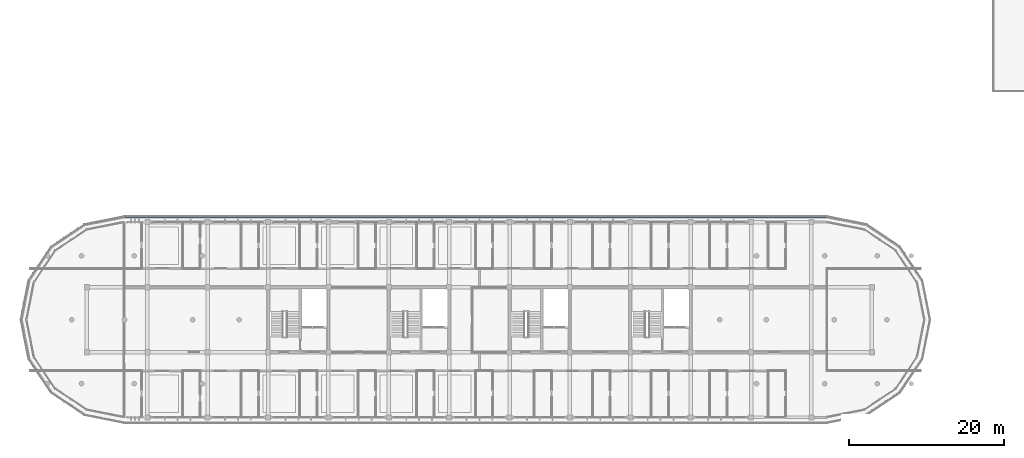
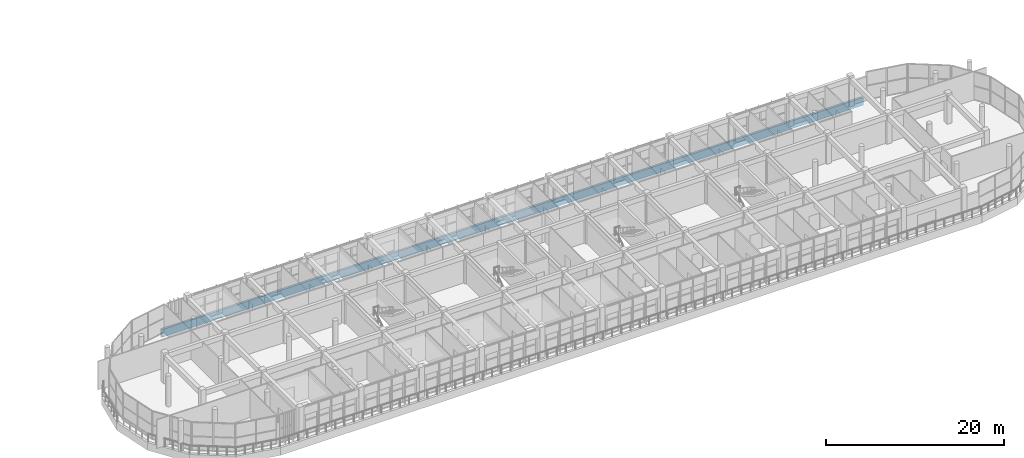
# One storey, part 45 of 63: 1 plate.
"""IFC4 building model written with IfcOpenShell, lengths in metres."""

import ifcopenshell
import ifcopenshell.guid

model = None  # the IFC model being written
_history = None  # IfcOwnerHistory: only IFC2X3 demands one
_inside = {}  # id of a spatial element -> (the spatial element, [elements in it])
_under = {}  # id of a project, library or spatial element -> (it, [spatial elements below it])
_declared = {}  # id of a project -> (the project, [libraries it declares])
_typed = {}  # id of a type object -> (the type object, [elements of that type])
_made_of = {}  # id of a material, layer set ... -> (it, [elements and type objects made of it])


def new_model(schema):
    """Start an empty IFC model of exactly this schema.

    Asked for "IFC4X3", IfcOpenShell would pick the latest addendum, in which some entities
    have other attributes; the version numbers below select the first issue.
    IFC2X3 requires an IfcOwnerHistory on every rooted entity: one is made here for all.
    """
    global model, _history
    if schema == "IFC4X3":
        model = ifcopenshell.file(schema_version=(4, 3, 0, 0))
    else:
        model = ifcopenshell.file(schema=schema)
    _inside.clear()
    _under.clear()
    _declared.clear()
    _typed.clear()
    _made_of.clear()
    _history = None
    if model.schema == "IFC2X3":
        org = make("IfcOrganization", Name="unknown")
        user = make(
            "IfcPersonAndOrganization",
            ThePerson=make("IfcPerson", FamilyName="unknown"),
            TheOrganization=org,
        )
        app = make(
            "IfcApplication",
            ApplicationDeveloper=org,
            Version="unknown",
            ApplicationFullName="unknown",
            ApplicationIdentifier="unknown",
        )
        _history = make(
            "IfcOwnerHistory",
            OwningUser=user,
            OwningApplication=app,
            ChangeAction="ADDED",
            CreationDate=0,
        )
    return model


def make(cls, **values):
    """One entity of the class cls with the attributes given. An attribute that is None is left unset."""
    return model.create_entity(
        cls, **{name: value for name, value in values.items() if value is not None}
    )


def rooted(cls, **values):
    """An entity with a GlobalId (a new one), such as an element, a storey or a relation."""
    return make(cls, GlobalId=ifcopenshell.guid.new(), OwnerHistory=_history, **values)


def si_unit(unit_type, name, prefix=None):
    """IfcSIUnit, for example si_unit("LENGTHUNIT", "METRE", prefix="MILLI")."""
    return make("IfcSIUnit", UnitType=unit_type, Prefix=prefix, Name=name)


def assignment(units):
    """IfcUnitAssignment: the units of a project."""
    return None if units is None else make("IfcUnitAssignment", Units=units)


def point(xyz):
    """IfcCartesianPoint."""
    return None if xyz is None else make("IfcCartesianPoint", Coordinates=xyz)


def direction(xyz):
    """IfcDirection."""
    return None if xyz is None else make("IfcDirection", DirectionRatios=xyz)


def frame(location, z_axis=None, x_axis=None):
    """IfcAxis2Placement3D, a coordinate frame: its origin and axes. An axis left out is left unset."""
    return make(
        "IfcAxis2Placement3D",
        Location=point(location),
        Axis=direction(z_axis),
        RefDirection=direction(x_axis),
    )


def origin():
    """The frame at (0, 0, 0) with its axes left unset."""
    return frame((0.0, 0.0, 0.0))


def place(relative_to, where):
    """IfcLocalPlacement: puts the frame where relative to a parent placement (None: the world)."""
    return make(
        "IfcLocalPlacement", PlacementRelTo=relative_to, RelativePlacement=where
    )


def context(
    kind, dimensions, precision=None, world=None, true_north=None, identifier=None
):
    """IfcGeometricRepresentationContext, for example the 3D "Model" context."""
    return make(
        "IfcGeometricRepresentationContext",
        ContextIdentifier=identifier,
        ContextType=kind,
        CoordinateSpaceDimension=dimensions,
        Precision=precision,
        WorldCoordinateSystem=world,
        TrueNorth=true_north,
    )


def subcontext(parent, identifier, kind, view, scale=None):
    """IfcGeometricRepresentationSubContext, for example "Body" below "Model"."""
    return make(
        "IfcGeometricRepresentationSubContext",
        ContextIdentifier=identifier,
        ContextType=kind,
        ParentContext=parent,
        TargetScale=scale,
        TargetView=view,
    )


def project(units=None, contexts=None):
    """IfcProject with its units and contexts."""
    return rooted(
        "IfcProject",
        Name="project",
        RepresentationContexts=contexts,
        UnitsInContext=assignment(units),
    )


def spatial(cls, under=None, at=None, **own):
    """A site, building, storey or space (cls), placed at a placement, below another one or the project."""
    s = rooted(cls, ObjectPlacement=at, **own)
    if under is not None:
        _under.setdefault(under.id(), (under, []))[1].append(s)
    return s


def polyline(points):
    """IfcPolyline through the points."""
    return make("IfcPolyline", Points=[point(p) for p in points])


def outline(outer, holes=None, kind="AREA"):
    """IfcArbitraryClosedProfileDef: a profile drawn as a closed curve; with holes, ...WithVoids."""
    if holes is None:
        return make("IfcArbitraryClosedProfileDef", ProfileType=kind, OuterCurve=outer)
    return make(
        "IfcArbitraryProfileDefWithVoids",
        ProfileType=kind,
        OuterCurve=outer,
        InnerCurves=holes,
    )


def extrude(swept, where, along, depth):
    """IfcExtrudedAreaSolid: the profile swept, set in the frame where, extruded along a direction by depth."""
    return make(
        "IfcExtrudedAreaSolid",
        SweptArea=swept,
        Position=where,
        ExtrudedDirection=direction(along),
        Depth=depth,
    )


def shape(context_of_items, identifier, shape_type, items):
    """IfcShapeRepresentation: the items that make up one representation, for example the "Body"."""
    return make(
        "IfcShapeRepresentation",
        ContextOfItems=context_of_items,
        RepresentationIdentifier=identifier,
        RepresentationType=shape_type,
        Items=items,
    )


def material(Name=None, Category=None):
    """IfcMaterial."""
    return make("IfcMaterial", Name=Name, Category=Category)


def layer(
    of_material, thickness, ventilated=None, Name=None, Category=None, Priority=None
):
    """IfcMaterialLayer: one layer of a wall or slab, of a material (None: an air gap)."""
    return make(
        "IfcMaterialLayer",
        Material=of_material,
        LayerThickness=thickness,
        IsVentilated=ventilated,
        Name=Name,
        Category=Category,
        Priority=Priority,
    )


def layer_set(layers, Name=None):
    """IfcMaterialLayerSet."""
    return make("IfcMaterialLayerSet", MaterialLayers=layers, LayerSetName=Name)


def made_of(thing, what):
    """Note that an element or type object is made of a material, layer set ...; save() writes the relation."""
    if what is not None:
        _made_of.setdefault(what.id(), (what, []))[1].append(thing)
    return thing


def type_object(cls, material=None, **own):
    """A type object (cls), such as IfcWallType, which elements share."""
    return made_of(rooted(cls, **own), material)


def element(
    cls,
    number,
    at=None,
    inside=None,
    cuts=None,
    type_object=None,
    material=None,
    context=None,
    identifier="Body",
    shape_type=None,
    held_by="IfcProductDefinitionShape",
    body=None,
    shapes=None,
    **own,
):
    """One element of the class cls, such as IfcWall. Its Tag is "e" and its number.

    at: its placement. inside: the storey or other place that contains it. cuts: it is an
    opening in that element (IfcRelVoidsElement). A single representation is given by context,
    identifier, shape_type and body (its items); several are given by shapes. held_by: the class
    of the entity that holds the representations. save() writes the other relations.
    """
    e = rooted(cls, Tag="e%d" % number, ObjectPlacement=at, **own)
    if body is not None:
        shapes = [shape(context, identifier, shape_type, body)]
    if shapes is not None:
        e.Representation = make(held_by, Representations=shapes)
    if inside is not None:
        _inside.setdefault(inside.id(), (inside, []))[1].append(e)
    if cuts is not None:
        rooted(
            "IfcRelVoidsElement", RelatingBuildingElement=cuts, RelatedOpeningElement=e
        )
    if type_object is not None:
        _typed.setdefault(type_object.id(), (type_object, []))[1].append(e)
    return made_of(e, material)


def aggregate(whole, parts):
    """IfcRelAggregates: a whole, such as a stair, and the parts it consists of."""
    return rooted("IfcRelAggregates", RelatingObject=whole, RelatedObjects=parts)


def save(model, path):
    """Write the relations noted so far, then the file.

    IfcRelAggregates (storeys below a building ...), IfcRelContainedInSpatialStructure (elements
    in a storey), IfcRelDefinesByType, IfcRelAssociatesMaterial and IfcRelDeclares: one each for
    every whole, place, type object, material and project.
    """
    for whole, parts in _under.values():
        aggregate(whole, parts)
    for where, things in _inside.values():
        rooted(
            "IfcRelContainedInSpatialStructure",
            RelatedElements=things,
            RelatingStructure=where,
        )
    for kind, things in _typed.values():
        rooted("IfcRelDefinesByType", RelatedObjects=things, RelatingType=kind)
    for what, things in _made_of.values():
        rooted("IfcRelAssociatesMaterial", RelatedObjects=things, RelatingMaterial=what)
    for by, libraries in _declared.values():
        rooted("IfcRelDeclares", RelatingContext=by, RelatedDefinitions=libraries)
    model.write(path)


model = new_model("IFC4")

# Units and contexts
model_context = context("Model", 3, precision=1e-05, world=origin(), true_north=direction((0.0, 1.0)))
body_context = subcontext(model_context, "Body", "Model", "MODEL_VIEW")
ifc_project = project(units=[si_unit("LENGTHUNIT", "METRE"), si_unit("AREAUNIT", "SQUARE_METRE"), si_unit("VOLUMEUNIT", "CUBIC_METRE"), si_unit("PLANEANGLEUNIT", "RADIAN"), si_unit("MASSUNIT", "GRAM", prefix="KILO")], contexts=[model_context])

# Site, building, storey
site_placement = place(None, origin())
site = spatial("IfcSite", under=ifc_project, at=site_placement, CompositionType="ELEMENT")
building_placement = place(site_placement, origin())
building = spatial("IfcBuilding", under=site, at=building_placement, Name="Zizhar Promenade General Hospital", CompositionType="ELEMENT")
storey_placement = place(building_placement, frame((0.0, 0.0, 18.0)))
storey = spatial("IfcBuildingStorey", under=building, at=storey_placement, Name="L04", CompositionType="ELEMENT", Elevation=18.0)

# Plate
ifc_material = material(Name="Precast concrete C40/50", Category="concrete")
ifc_layer = layer(ifc_material, 0.300048828125)
ifc_layer_set = layer_set([ifc_layer], Name="Precast concrete C40/50")
plate_type = type_object("IfcPlateType", Name="PL-PC-BAND1100", PredefinedType="USERDEFINED", material=ifc_layer_set)
plate_placement = place(storey_placement, frame((0.0, 0.0, -1.050048828125)))
element("IfcPlate", 1, at=plate_placement, inside=storey, type_object=plate_type, Name="Ward Precast Slab Band L04-09", ObjectType="FASCIA_BAND", PredefinedType="USERDEFINED", context=body_context, shape_type="SweptSolid", body=[
    extrude(outline(polyline([(119.0, 26.050048828125), (28.199951171875, 26.050048828125), (28.199951171875, 25.75), (119.0, 25.75), (119.0, 26.050048828125)])), origin(), (0.0, 0.0, 1.0), 1.050048828125),
])

save(model, "model.ifc")
